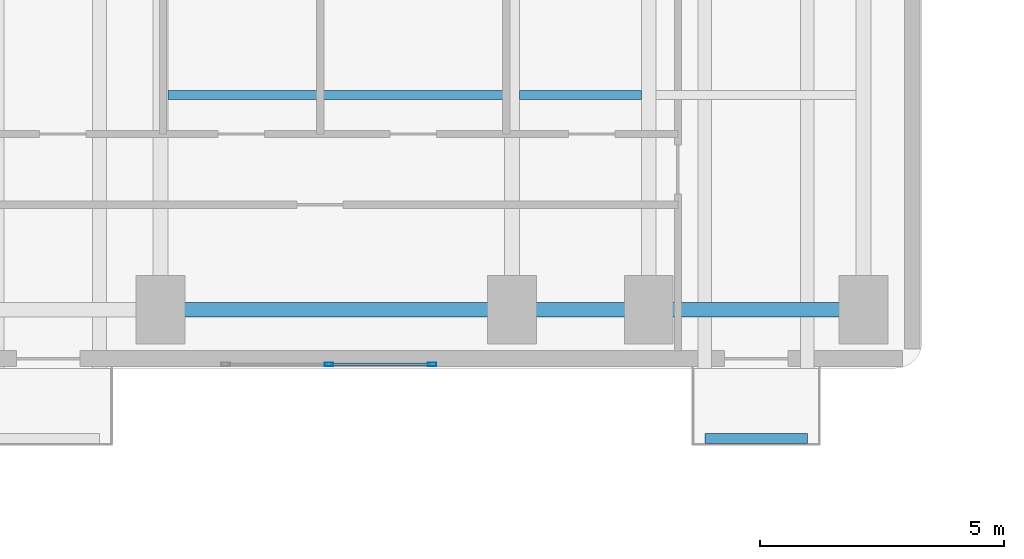
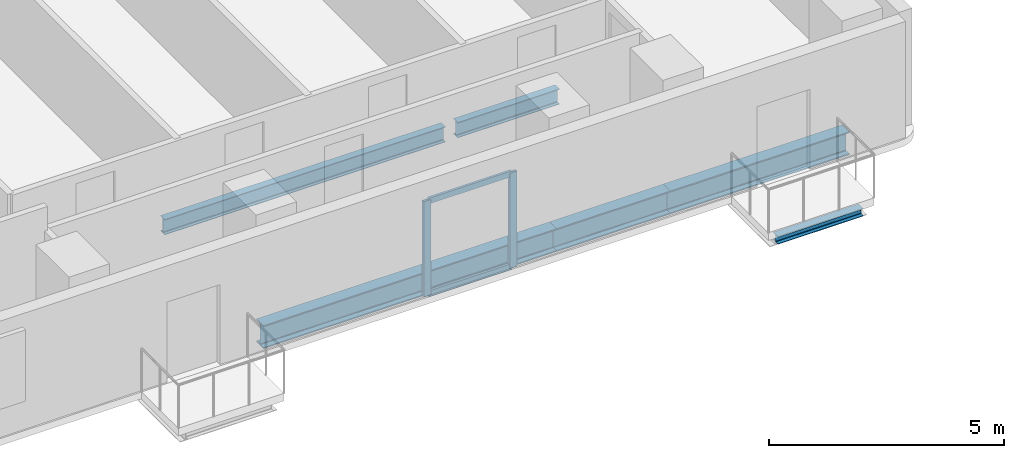
# One storey, part 6 of 17: 6 beams, 4 members, 1 element without a shape of its own.
"""IFC4 building model written with IfcOpenShell, lengths in metres."""

from ifc_helpers import new_model, si_unit, direction, frame, origin, origin_2d, place, context, subcontext, project, spatial, hollow_rectangle, i_section, extrude, material, material_profile, profile_set, type_object, element, aggregate, save


model = new_model("IFC4")

# Units and contexts
model_context = context("Model", 3, precision=1e-05, world=origin(), true_north=direction((0.0, 1.0)))
body_context = subcontext(model_context, "Body", "Model", "MODEL_VIEW")
ifc_project = project(units=[si_unit("LENGTHUNIT", "METRE"), si_unit("AREAUNIT", "SQUARE_METRE"), si_unit("VOLUMEUNIT", "CUBIC_METRE"), si_unit("PLANEANGLEUNIT", "RADIAN"), si_unit("MASSUNIT", "GRAM", prefix="KILO")], contexts=[model_context])

# Site, building, storey
site_placement = place(None, origin())
site = spatial("IfcSite", under=ifc_project, at=site_placement, CompositionType="ELEMENT")
building_placement = place(site_placement, origin())
building = spatial("IfcBuilding", under=site, at=building_placement, Name="Kuzgunbayir Cultural Tower", CompositionType="ELEMENT")
storey_placement = place(building_placement, frame((0.0, 0.0, 56.39990234375)))
storey = spatial("IfcBuildingStorey", under=building, at=storey_placement, Name="L15", CompositionType="ELEMENT", Elevation=56.39990234375)

# Beams
ifc_material_1 = material(Name="Steel S355J2", Category="steel")
ifc_material_profile_1 = material_profile(ifc_material_1, i_section(OverallWidth=0.199951171875, OverallDepth=0.199951171875, WebThickness=0.009033203125, FlangeThickness=0.014892578125, FilletRadius=0.01806640625, at=origin_2d()), Name="HEB 200")
ifc_profile_set_1 = profile_set([ifc_material_profile_1], Name="Steel S355J2")
beam_type_1 = type_object("IfcBeamType", Name="BM-CAN-HEB200", PredefinedType="BEAM", material=ifc_profile_set_1)
beam_1_placement = place(storey_placement, frame((42.35009765625, 24.9599609375, -0.2998046875), z_axis=(1.0, 0.0, 0.0), x_axis=(0.0, 1.0, 0.0)))
element("IfcBeam", 1, at=beam_1_placement, inside=storey, type_object=beam_type_1, Name="L15 Balcony Edge Header BAL-L15-WB3", PredefinedType="BEAM", context=body_context, shape_type="SweptSolid", body=[
    extrude(i_section(OverallWidth=0.199951171875, OverallDepth=0.199951171875, WebThickness=0.009033203125, FlangeThickness=0.014892578125, FilletRadius=0.01806640625, at=origin_2d()), origin(), (0.0, 0.0, 1.0), 2.099853515625),
])
ifc_material_profile_2 = material_profile(ifc_material_1, i_section(OverallWidth=0.300048828125, OverallDepth=0.60009765625, WebThickness=0.015380859375, FlangeThickness=0.030029296875, FilletRadius=0.027099609375, at=origin_2d()), Name="HEB 600")
ifc_profile_set_2 = profile_set([ifc_material_profile_2], Name="Steel S355J2")
beam_type_2 = type_object("IfcBeamType", Name="BM-EXT-HEB600", PredefinedType="BEAM", material=ifc_profile_set_2)
beam_2_placement = place(storey_placement, frame((31.199951171875, 27.60009765625, -0.47998046875), z_axis=(1.0, 0.0, 0.0), x_axis=(0.0, 1.0, 0.0)))
element("IfcBeam", 2, at=beam_2_placement, inside=storey, type_object=beam_type_2, Name="L15 Wing B South Girder 2", PredefinedType="BEAM", context=body_context, shape_type="SweptSolid", body=[
    extrude(i_section(OverallWidth=0.300048828125, OverallDepth=0.60009765625, WebThickness=0.015380859375, FlangeThickness=0.030029296875, FilletRadius=0.027099609375, at=origin_2d()), origin(), (0.0, 0.0, 1.0), 7.199951171875),
])
beam_3_placement = place(storey_placement, frame((38.39990234375, 27.60009765625, -0.47998046875), z_axis=(1.0, 0.0, 0.0), x_axis=(0.0, 1.0, 0.0)))
element("IfcBeam", 3, at=beam_3_placement, inside=storey, type_object=beam_type_2, Name="L15 Wing B South Girder 3", PredefinedType="BEAM", context=body_context, shape_type="SweptSolid", body=[
    extrude(i_section(OverallWidth=0.300048828125, OverallDepth=0.60009765625, WebThickness=0.015380859375, FlangeThickness=0.030029296875, FilletRadius=0.027099609375, at=origin_2d()), origin(), (0.0, 0.0, 1.0), 2.800048828125),
])
beam_4_placement = place(storey_placement, frame((41.199951171875, 27.60009765625, -0.47998046875), z_axis=(1.0, 0.0, 0.0), x_axis=(0.0, 1.0, 0.0)))
element("IfcBeam", 4, at=beam_4_placement, inside=storey, type_object=beam_type_2, Name="L15 Wing B South Girder 4", PredefinedType="BEAM", context=body_context, shape_type="SweptSolid", body=[
    extrude(i_section(OverallWidth=0.300048828125, OverallDepth=0.60009765625, WebThickness=0.015380859375, FlangeThickness=0.030029296875, FilletRadius=0.027099609375, at=origin_2d()), origin(), (0.0, 0.0, 1.0), 4.400146484375),
])
ifc_material_profile_3 = material_profile(ifc_material_1, i_section(OverallWidth=0.179931640625, OverallDepth=0.39990234375, WebThickness=0.008544921875, FlangeThickness=0.013427734375, FilletRadius=0.02099609375, at=origin_2d()), Name="IPE 400")
ifc_profile_set_3 = profile_set([ifc_material_profile_3], Name="Steel S355J2")
beam_type_3 = type_object("IfcBeamType", Name="BM-JST-IPE400", PredefinedType="JOIST", material=ifc_profile_set_3)
beam_5_placement = place(storey_placement, frame((31.35009765625, 32.0, -0.3798828125), z_axis=(1.0, 0.0, 0.0), x_axis=(0.0, 1.0, 0.0)))
element("IfcBeam", 5, at=beam_5_placement, inside=storey, type_object=beam_type_3, Name="L15 Wing B Secondary Joist 1.1", PredefinedType="JOIST", context=body_context, shape_type="SweptSolid", body=[
    extrude(i_section(OverallWidth=0.179931640625, OverallDepth=0.39990234375, WebThickness=0.008544921875, FlangeThickness=0.013427734375, FilletRadius=0.02099609375, at=origin_2d()), origin(), (0.0, 0.0, 1.0), 6.89990234375),
])
beam_6_placement = place(storey_placement, frame((38.550048828125, 32.0, -0.3798828125), z_axis=(1.0, 0.0, 0.0), x_axis=(0.0, 1.0, 0.0)))
element("IfcBeam", 6, at=beam_6_placement, inside=storey, type_object=beam_type_3, Name="L15 Wing B Secondary Joist 2.1", PredefinedType="JOIST", context=body_context, shape_type="SweptSolid", body=[
    extrude(i_section(OverallWidth=0.179931640625, OverallDepth=0.39990234375, WebThickness=0.008544921875, FlangeThickness=0.013427734375, FilletRadius=0.02099609375, at=origin_2d()), origin(), (0.0, 0.0, 1.0), 2.5),
])

# Curtain wall, members
ifc_material_2 = material(Name="Anodised Aluminium Framing", Category="aluminium")
curtain_wall_type = type_object("IfcCurtainWallType", Name="CW03-T1-OFFICE", PredefinedType="NOTDEFINED", material=ifc_material_2)
curtain_wall_placement = place(storey_placement, origin())
curtain_wall = element("IfcCurtainWall", 7, at=curtain_wall_placement, inside=storey, type_object=curtain_wall_type, Name="L15 Wing B South Feature Curtain Wall", PredefinedType="NOTDEFINED")
ifc_material_profile_4 = material_profile(ifc_material_2, hollow_rectangle(XDim=0.074951171875, YDim=0.179931640625, WallThickness=0.0048828125, at=origin_2d()), Name="RHS 180x75x5")
ifc_profile_set_4 = profile_set([ifc_material_profile_4], Name="Anodised Aluminium Framing")
member_type_1 = type_object("IfcMemberType", Name="MEM-CW-MULLION-180", PredefinedType="MULLION", material=ifc_profile_set_4)
member_1_placement = place(storey_placement, frame((34.64990234375, 26.47998046875, 0.0), z_axis=(0.0, 0.0, 1.0), x_axis=(0.0, 1.0, 0.0)))
member_1 = element("IfcMember", 8, at=member_1_placement, type_object=member_type_1, Name="CW03 mullion 2", PredefinedType="MULLION", context=body_context, shape_type="SweptSolid", body=[
    extrude(hollow_rectangle(XDim=0.074951171875, YDim=0.179931640625, WallThickness=0.0048828125, at=origin_2d()), origin(), (0.0, 0.0, 1.0), 2.47021484375),
])
member_2_placement = place(storey_placement, frame((36.762451171875, 26.47998046875, 0.0), z_axis=(0.0, 0.0, 1.0), x_axis=(0.0, 1.0, 0.0)))
member_2 = element("IfcMember", 9, at=member_2_placement, type_object=member_type_1, Name="CW03 mullion 3", PredefinedType="MULLION", context=body_context, shape_type="SweptSolid", body=[
    extrude(hollow_rectangle(XDim=0.074951171875, YDim=0.179931640625, WallThickness=0.0048828125, at=origin_2d()), origin(), (0.0, 0.0, 1.0), 2.47021484375),
])
ifc_material_profile_5 = material_profile(ifc_material_2, hollow_rectangle(XDim=0.06005859375, YDim=0.14990234375, WallThickness=0.00390625, at=origin_2d()), Name="RHS 150x60x4")
ifc_profile_set_5 = profile_set([ifc_material_profile_5], Name="Anodised Aluminium Framing")
member_type_2 = type_object("IfcMemberType", Name="MEM-CW-TRANSOM-150", PredefinedType="USERDEFINED", material=ifc_profile_set_5)
member_3_placement = place(storey_placement, frame((34.6875, 26.47998046875, 0.030029296875), z_axis=(1.0, 0.0, 0.0), x_axis=(0.0, 1.0, 0.0)))
member_3 = element("IfcMember", 10, at=member_3_placement, type_object=member_type_2, Name="CW03 transom 2.1", ObjectType="TRANSOM", PredefinedType="USERDEFINED", context=body_context, shape_type="SweptSolid", body=[
    extrude(hollow_rectangle(XDim=0.06005859375, YDim=0.14990234375, WallThickness=0.00390625, at=origin_2d()), origin(), (0.0, 0.0, 1.0), 2.03759765625),
])
member_4_placement = place(storey_placement, frame((34.6875, 26.47998046875, 2.440185546875), z_axis=(1.0, 0.0, 0.0), x_axis=(0.0, 1.0, 0.0)))
member_4 = element("IfcMember", 11, at=member_4_placement, type_object=member_type_2, Name="CW03 transom 2.2", ObjectType="TRANSOM", PredefinedType="USERDEFINED", context=body_context, shape_type="SweptSolid", body=[
    extrude(hollow_rectangle(XDim=0.06005859375, YDim=0.14990234375, WallThickness=0.00390625, at=origin_2d()), origin(), (0.0, 0.0, 1.0), 2.03759765625),
])
aggregate(curtain_wall, [member_1, member_2, member_3, member_4])

save(model, "model.ifc")
